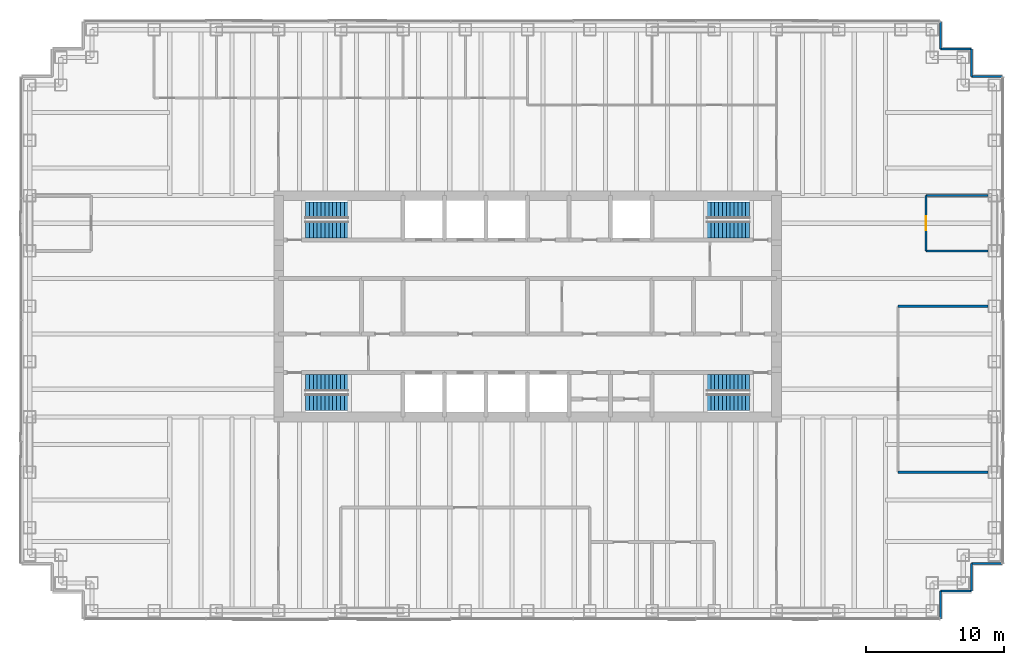
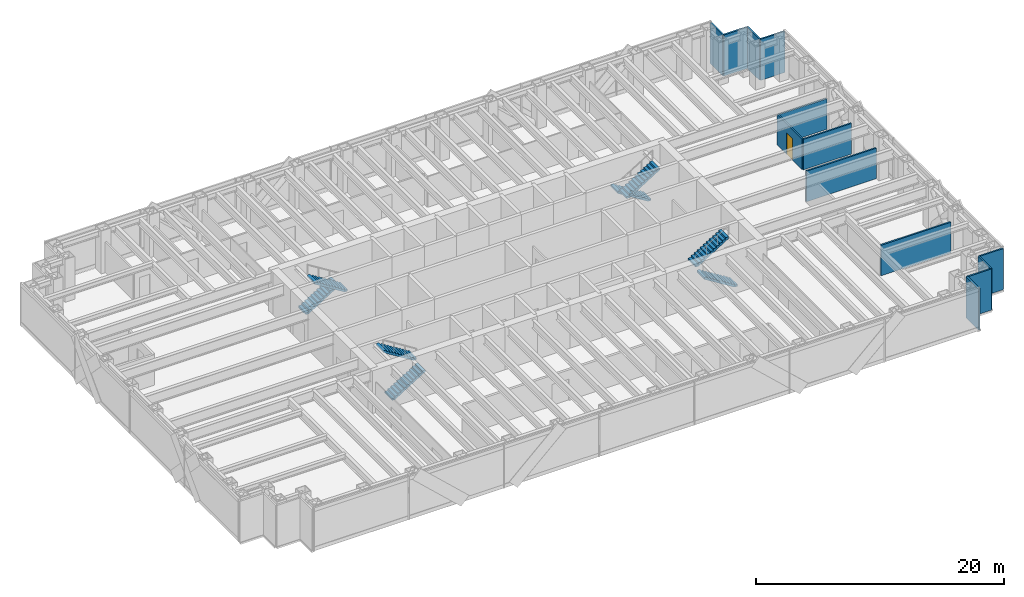
# One storey, part 16 of 17: 13 walls, 8 stair flights, 1 door, 1 opening, 4 elements without a shape of their own.
"""IFC4 building model written with IfcOpenShell, lengths in metres."""

import ifcopenshell
import ifcopenshell.guid

model = None  # the IFC model being written
_history = None  # IfcOwnerHistory: only IFC2X3 demands one
_inside = {}  # id of a spatial element -> (the spatial element, [elements in it])
_under = {}  # id of a project, library or spatial element -> (it, [spatial elements below it])
_declared = {}  # id of a project -> (the project, [libraries it declares])
_typed = {}  # id of a type object -> (the type object, [elements of that type])
_made_of = {}  # id of a material, layer set ... -> (it, [elements and type objects made of it])


def new_model(schema):
    """Start an empty IFC model of exactly this schema.

    Asked for "IFC4X3", IfcOpenShell would pick the latest addendum, in which some entities
    have other attributes; the version numbers below select the first issue.
    IFC2X3 requires an IfcOwnerHistory on every rooted entity: one is made here for all.
    """
    global model, _history
    if schema == "IFC4X3":
        model = ifcopenshell.file(schema_version=(4, 3, 0, 0))
    else:
        model = ifcopenshell.file(schema=schema)
    _inside.clear()
    _under.clear()
    _declared.clear()
    _typed.clear()
    _made_of.clear()
    _history = None
    if model.schema == "IFC2X3":
        org = make("IfcOrganization", Name="unknown")
        user = make(
            "IfcPersonAndOrganization",
            ThePerson=make("IfcPerson", FamilyName="unknown"),
            TheOrganization=org,
        )
        app = make(
            "IfcApplication",
            ApplicationDeveloper=org,
            Version="unknown",
            ApplicationFullName="unknown",
            ApplicationIdentifier="unknown",
        )
        _history = make(
            "IfcOwnerHistory",
            OwningUser=user,
            OwningApplication=app,
            ChangeAction="ADDED",
            CreationDate=0,
        )
    return model


def make(cls, **values):
    """One entity of the class cls with the attributes given. An attribute that is None is left unset."""
    return model.create_entity(
        cls, **{name: value for name, value in values.items() if value is not None}
    )


def rooted(cls, **values):
    """An entity with a GlobalId (a new one), such as an element, a storey or a relation."""
    return make(cls, GlobalId=ifcopenshell.guid.new(), OwnerHistory=_history, **values)


def si_unit(unit_type, name, prefix=None):
    """IfcSIUnit, for example si_unit("LENGTHUNIT", "METRE", prefix="MILLI")."""
    return make("IfcSIUnit", UnitType=unit_type, Prefix=prefix, Name=name)


def assignment(units):
    """IfcUnitAssignment: the units of a project."""
    return None if units is None else make("IfcUnitAssignment", Units=units)


def point(xyz):
    """IfcCartesianPoint."""
    return None if xyz is None else make("IfcCartesianPoint", Coordinates=xyz)


def direction(xyz):
    """IfcDirection."""
    return None if xyz is None else make("IfcDirection", DirectionRatios=xyz)


def frame(location, z_axis=None, x_axis=None):
    """IfcAxis2Placement3D, a coordinate frame: its origin and axes. An axis left out is left unset."""
    return make(
        "IfcAxis2Placement3D",
        Location=point(location),
        Axis=direction(z_axis),
        RefDirection=direction(x_axis),
    )


def frame_2d(location, x_axis=None):
    """IfcAxis2Placement2D, a coordinate frame in the plane: its origin and x axis."""
    return make(
        "IfcAxis2Placement2D", Location=point(location), RefDirection=direction(x_axis)
    )


def origin():
    """The frame at (0, 0, 0) with its axes left unset."""
    return frame((0.0, 0.0, 0.0))


def place(relative_to, where):
    """IfcLocalPlacement: puts the frame where relative to a parent placement (None: the world)."""
    return make(
        "IfcLocalPlacement", PlacementRelTo=relative_to, RelativePlacement=where
    )


def context(
    kind, dimensions, precision=None, world=None, true_north=None, identifier=None
):
    """IfcGeometricRepresentationContext, for example the 3D "Model" context."""
    return make(
        "IfcGeometricRepresentationContext",
        ContextIdentifier=identifier,
        ContextType=kind,
        CoordinateSpaceDimension=dimensions,
        Precision=precision,
        WorldCoordinateSystem=world,
        TrueNorth=true_north,
    )


def subcontext(parent, identifier, kind, view, scale=None):
    """IfcGeometricRepresentationSubContext, for example "Body" below "Model"."""
    return make(
        "IfcGeometricRepresentationSubContext",
        ContextIdentifier=identifier,
        ContextType=kind,
        ParentContext=parent,
        TargetScale=scale,
        TargetView=view,
    )


def project(units=None, contexts=None):
    """IfcProject with its units and contexts."""
    return rooted(
        "IfcProject",
        Name="project",
        RepresentationContexts=contexts,
        UnitsInContext=assignment(units),
    )


def spatial(cls, under=None, at=None, **own):
    """A site, building, storey or space (cls), placed at a placement, below another one or the project."""
    s = rooted(cls, ObjectPlacement=at, **own)
    if under is not None:
        _under.setdefault(under.id(), (under, []))[1].append(s)
    return s


def polyline(points):
    """IfcPolyline through the points."""
    return make("IfcPolyline", Points=[point(p) for p in points])


def profile(cls, at=None, kind="AREA", **sizes):
    """A parametric profile (cls). Its sizes go by their IFC names, for example OverallWidth=200.0."""
    return make(cls, ProfileType=kind, Position=at, **sizes)


def rectangle(**sizes):
    """IfcRectangleProfileDef."""
    return profile("IfcRectangleProfileDef", **sizes)


def outline(outer, holes=None, kind="AREA"):
    """IfcArbitraryClosedProfileDef: a profile drawn as a closed curve; with holes, ...WithVoids."""
    if holes is None:
        return make("IfcArbitraryClosedProfileDef", ProfileType=kind, OuterCurve=outer)
    return make(
        "IfcArbitraryProfileDefWithVoids",
        ProfileType=kind,
        OuterCurve=outer,
        InnerCurves=holes,
    )


def extrude(swept, where, along, depth):
    """IfcExtrudedAreaSolid: the profile swept, set in the frame where, extruded along a direction by depth."""
    return make(
        "IfcExtrudedAreaSolid",
        SweptArea=swept,
        Position=where,
        ExtrudedDirection=direction(along),
        Depth=depth,
    )


def shape(context_of_items, identifier, shape_type, items):
    """IfcShapeRepresentation: the items that make up one representation, for example the "Body"."""
    return make(
        "IfcShapeRepresentation",
        ContextOfItems=context_of_items,
        RepresentationIdentifier=identifier,
        RepresentationType=shape_type,
        Items=items,
    )


def material(Name=None, Category=None):
    """IfcMaterial."""
    return make("IfcMaterial", Name=Name, Category=Category)


def layer(
    of_material, thickness, ventilated=None, Name=None, Category=None, Priority=None
):
    """IfcMaterialLayer: one layer of a wall or slab, of a material (None: an air gap)."""
    return make(
        "IfcMaterialLayer",
        Material=of_material,
        LayerThickness=thickness,
        IsVentilated=ventilated,
        Name=Name,
        Category=Category,
        Priority=Priority,
    )


def layer_set(layers, Name=None):
    """IfcMaterialLayerSet."""
    return make("IfcMaterialLayerSet", MaterialLayers=layers, LayerSetName=Name)


def made_of(thing, what):
    """Note that an element or type object is made of a material, layer set ...; save() writes the relation."""
    if what is not None:
        _made_of.setdefault(what.id(), (what, []))[1].append(thing)
    return thing


def type_object(cls, material=None, **own):
    """A type object (cls), such as IfcWallType, which elements share."""
    return made_of(rooted(cls, **own), material)


def element(
    cls,
    number,
    at=None,
    inside=None,
    cuts=None,
    type_object=None,
    material=None,
    context=None,
    identifier="Body",
    shape_type=None,
    held_by="IfcProductDefinitionShape",
    body=None,
    shapes=None,
    **own,
):
    """One element of the class cls, such as IfcWall. Its Tag is "e" and its number.

    at: its placement. inside: the storey or other place that contains it. cuts: it is an
    opening in that element (IfcRelVoidsElement). A single representation is given by context,
    identifier, shape_type and body (its items); several are given by shapes. held_by: the class
    of the entity that holds the representations. save() writes the other relations.
    """
    e = rooted(cls, Tag="e%d" % number, ObjectPlacement=at, **own)
    if body is not None:
        shapes = [shape(context, identifier, shape_type, body)]
    if shapes is not None:
        e.Representation = make(held_by, Representations=shapes)
    if inside is not None:
        _inside.setdefault(inside.id(), (inside, []))[1].append(e)
    if cuts is not None:
        rooted(
            "IfcRelVoidsElement", RelatingBuildingElement=cuts, RelatedOpeningElement=e
        )
    if type_object is not None:
        _typed.setdefault(type_object.id(), (type_object, []))[1].append(e)
    return made_of(e, material)


def fill(opening, filler):
    """IfcRelFillsElement: the door or window that sits in an opening."""
    return rooted(
        "IfcRelFillsElement",
        RelatingOpeningElement=opening,
        RelatedBuildingElement=filler,
    )


def aggregate(whole, parts):
    """IfcRelAggregates: a whole, such as a stair, and the parts it consists of."""
    return rooted("IfcRelAggregates", RelatingObject=whole, RelatedObjects=parts)


def save(model, path):
    """Write the relations noted so far, then the file.

    IfcRelAggregates (storeys below a building ...), IfcRelContainedInSpatialStructure (elements
    in a storey), IfcRelDefinesByType, IfcRelAssociatesMaterial and IfcRelDeclares: one each for
    every whole, place, type object, material and project.
    """
    for whole, parts in _under.values():
        aggregate(whole, parts)
    for where, things in _inside.values():
        rooted(
            "IfcRelContainedInSpatialStructure",
            RelatedElements=things,
            RelatingStructure=where,
        )
    for kind, things in _typed.values():
        rooted("IfcRelDefinesByType", RelatedObjects=things, RelatingType=kind)
    for what, things in _made_of.values():
        rooted("IfcRelAssociatesMaterial", RelatedObjects=things, RelatingMaterial=what)
    for by, libraries in _declared.values():
        rooted("IfcRelDeclares", RelatingContext=by, RelatedDefinitions=libraries)
    model.write(path)


model = new_model("IFC4")

# Units and contexts
model_context = context("Model", 3, precision=1e-05, world=origin(), true_north=direction((0.0, 1.0)))
body_context = subcontext(model_context, "Body", "Model", "MODEL_VIEW")
ifc_project = project(units=[si_unit("LENGTHUNIT", "METRE"), si_unit("AREAUNIT", "SQUARE_METRE"), si_unit("VOLUMEUNIT", "CUBIC_METRE"), si_unit("PLANEANGLEUNIT", "RADIAN"), si_unit("MASSUNIT", "GRAM", prefix="KILO")], contexts=[model_context])

# Site, building, storey
site_placement = place(None, origin())
site = spatial("IfcSite", under=ifc_project, at=site_placement, CompositionType="ELEMENT")
building_placement = place(site_placement, origin())
building = spatial("IfcBuilding", under=site, at=building_placement, Name="Rheinbord Bourse Tower", CompositionType="ELEMENT")
storey_placement = place(building_placement, frame((0.0, 0.0, 321.5)))
storey = spatial("IfcBuildingStorey", under=building, at=storey_placement, Name="L73", CompositionType="ELEMENT", Elevation=321.5)

# Walls
ifc_material_1 = material(Name="Black metal rainscreen panel", Category="aluminium")
ifc_layer_1 = layer(ifc_material_1, 0.14990234375)
ifc_layer_set_1 = layer_set([ifc_layer_1], Name="CORNER PIER CLADDING 150")
wall_type_1 = type_object("IfcWallType", Name="CORNER PIER CLADDING 150", PredefinedType="ELEMENTEDWALL", material=ifc_layer_set_1)
wall_1_placement = place(storey_placement, frame((65.85009765625, 1.39990234375, 0.0), z_axis=(0.0, 0.0, 1.0), x_axis=(0.0, 1.0, 0.0)))
element("IfcWall", 1, at=wall_1_placement, inside=storey, type_object=wall_type_1, Name="Corner pier cladding L73 2", PredefinedType="ELEMENTEDWALL", context=body_context, shape_type="SweptSolid", body=[
    extrude(rectangle(XDim=2.0, YDim=0.14990234375, at=frame_2d((1.0, 0.0))), origin(), (0.0, 0.0, 1.0), 4.0400390625),
])
wall_2_placement = place(storey_placement, frame((65.85009765625, 3.39990234375, 0.0), z_axis=(0.0, 0.0, 1.0), x_axis=(1.0, 0.0, 0.0)))
element("IfcWall", 2, at=wall_2_placement, inside=storey, type_object=wall_type_1, Name="Corner pier cladding L73 3", PredefinedType="ELEMENTEDWALL", context=body_context, shape_type="SweptSolid", body=[
    extrude(rectangle(XDim=2.25, YDim=0.14990234375, at=frame_2d((1.125, 0.0))), origin(), (0.0, 0.0, 1.0), 4.0400390625),
])
wall_3_placement = place(storey_placement, frame((68.10009765625, 3.39990234375, 0.0), z_axis=(0.0, 0.0, 1.0), x_axis=(0.0, 1.0, 0.0)))
element("IfcWall", 3, at=wall_3_placement, inside=storey, type_object=wall_type_1, Name="Corner pier cladding L73 4", PredefinedType="ELEMENTEDWALL", context=body_context, shape_type="SweptSolid", body=[
    extrude(rectangle(XDim=2.0, YDim=0.14990234375, at=frame_2d((1.0, 0.0))), origin(), (0.0, 0.0, 1.0), 4.0400390625),
])
for number, where, z_axis, x_axis, name in (
    (4, (68.10009765625, 5.39990234375, 0.0), (0.0, 0.0, 1.0), (1.0, 0.0, 0.0), "Corner pier cladding L73 5"),
    (5, (70.35009765625, 40.60009765625, 0.0), (0.0, 0.0, 1.0), (-1.0, 0.0, 0.0), "Corner pier cladding L73 7"),
):
    element("IfcWall", number, at=place(storey_placement, frame(where, z_axis=z_axis, x_axis=x_axis)), inside=storey, type_object=wall_type_1, Name=name, PredefinedType="ELEMENTEDWALL", context=body_context, shape_type="SweptSolid", body=[
        extrude(rectangle(XDim=2.25, YDim=0.14990234375, at=frame_2d((1.125, 0.0))), origin(), (0.0, 0.0, 1.0), 4.0400390625),
    ])
wall_4_placement = place(storey_placement, frame((68.10009765625, 40.60009765625, 0.0), z_axis=(0.0, 0.0, 1.0), x_axis=(0.0, 1.0, 0.0)))
element("IfcWall", 6, at=wall_4_placement, inside=storey, type_object=wall_type_1, Name="Corner pier cladding L73 8", PredefinedType="ELEMENTEDWALL", context=body_context, shape_type="SweptSolid", body=[
    extrude(rectangle(XDim=2.0, YDim=0.14990234375, at=frame_2d((1.0, 0.0))), origin(), (0.0, 0.0, 1.0), 4.0400390625),
])
wall_5_placement = place(storey_placement, frame((68.10009765625, 42.60009765625, 0.0), z_axis=(0.0, 0.0, 1.0), x_axis=(-1.0, 0.0, 0.0)))
element("IfcWall", 7, at=wall_5_placement, inside=storey, type_object=wall_type_1, Name="Corner pier cladding L73 9", PredefinedType="ELEMENTEDWALL", context=body_context, shape_type="SweptSolid", body=[
    extrude(rectangle(XDim=2.25, YDim=0.14990234375, at=frame_2d((1.125, 0.0))), origin(), (0.0, 0.0, 1.0), 4.0400390625),
])
wall_6_placement = place(storey_placement, frame((65.85009765625, 42.60009765625, 0.0), z_axis=(0.0, 0.0, 1.0), x_axis=(0.0, 1.0, 0.0)))
element("IfcWall", 8, at=wall_6_placement, inside=storey, type_object=wall_type_1, Name="Corner pier cladding L73 10", PredefinedType="ELEMENTEDWALL", context=body_context, shape_type="SweptSolid", body=[
    extrude(rectangle(XDim=2.0, YDim=0.14990234375, at=frame_2d((1.0, 0.0))), origin(), (0.0, 0.0, 1.0), 4.0400390625),
])
ifc_material_2 = material(Name="Gypsum board partition", Category="gypsum board")
ifc_layer_2 = layer(ifc_material_2, 0.14990234375)
ifc_layer_set_2 = layer_set([ifc_layer_2], Name="PARTITION 150")
wall_type_2 = type_object("IfcWallType", Name="PARTITION 150", PredefinedType="PARTITIONING", material=ifc_layer_set_2)
for number, where, z_axis, x_axis, name in (
    (9, (62.800048828125, 12.0, 0.0), (0.0, 0.0, 1.0), (1.0, 0.0, 0.0), "Partition L73-03"),
    (10, (62.800048828125, 24.0, 0.0), (0.0, 0.0, 1.0), (1.0, 0.0, 0.0), "Partition L73-04"),
):
    element("IfcWall", number, at=place(storey_placement, frame(where, z_axis=z_axis, x_axis=x_axis)), inside=storey, type_object=wall_type_2, Name=name, PredefinedType="PARTITIONING", context=body_context, shape_type="SweptSolid", body=[
        extrude(rectangle(XDim=6.5, YDim=0.14990234375, at=frame_2d((3.25, 0.0))), origin(), (0.0, 0.0, 1.0), 3.0),
    ])
for number, where, z_axis, x_axis, name in (
    (11, (64.800048828125, 28.0, 0.0), (0.0, 0.0, 1.0), (1.0, 0.0, 0.0), "Partition L73-06"),
    (12, (64.800048828125, 32.0, 0.0), (0.0, 0.0, 1.0), (1.0, 0.0, 0.0), "Partition L73-08"),
):
    element("IfcWall", number, at=place(storey_placement, frame(where, z_axis=z_axis, x_axis=x_axis)), inside=storey, type_object=wall_type_2, Name=name, PredefinedType="PARTITIONING", context=body_context, shape_type="SweptSolid", body=[
        extrude(rectangle(XDim=4.5, YDim=0.14990234375, at=frame_2d((2.25, 0.0))), origin(), (0.0, 0.0, 1.0), 3.0),
    ])

# Wall, opening, door
wall_7_placement = place(storey_placement, frame((64.800048828125, 28.0, 0.0), z_axis=(0.0, 0.0, 1.0), x_axis=(0.0, 1.0, 0.0)))
wall_7 = element("IfcWall", 13, at=wall_7_placement, inside=storey, type_object=wall_type_2, Name="Partition L73-30", PredefinedType="PARTITIONING", context=body_context, shape_type="SweptSolid", body=[
    extrude(rectangle(XDim=4.0, YDim=0.14990234375, at=frame_2d((2.0, 0.0))), origin(), (0.0, 0.0, 1.0), 3.0),
])
opening_placement = place(wall_7_placement, frame((1.5, 0.0, 0.0)))
opening = element("IfcOpeningElement", 14, at=opening_placement, cuts=wall_7, Name="Opening 73D06", PredefinedType="OPENING", context=body_context, shape_type="SweptSolid", body=[
    extrude(rectangle(XDim=1.0, YDim=2.10009765625, at=frame_2d((0.5, 1.050048828125))), frame((0.0, 0.0849609375, 0.0), z_axis=(0.0, -1.0, 0.0), x_axis=(1.0, 0.0, 0.0)), (0.0, 0.0, 1.0), 0.169921875),
])
ifc_material_3 = material(Name="Timber door", Category="wood")
door_type = type_object("IfcDoorType", Name="ROOM DOOR 1000", OperationType="SINGLE_SWING_LEFT", PredefinedType="DOOR", material=ifc_material_3)
door_placement = place(opening_placement, origin())
door = element("IfcDoor", 15, at=door_placement, inside=storey, type_object=door_type, Name="Pantry door L73", OperationType="SINGLE_SWING_LEFT", OverallHeight=2.10009765625, OverallWidth=1.0, PredefinedType="DOOR", context=body_context, shape_type="SweptSolid", body=[
    extrude(rectangle(XDim=1.0, YDim=2.10009765625, at=frame_2d((0.5, 1.050048828125))), frame((0.0, 0.02490234375, 0.0), z_axis=(0.0, -1.0, 0.0), x_axis=(1.0, 0.0, 0.0)), (0.0, 0.0, 1.0), 0.050048828125),
])
fill(opening, door)

# Stair, stair flights
ifc_material_4 = material(Name="Concrete C30/37", Category="concrete")
stair_type = type_object("IfcStairType", Name="CORE STAIR HALF TURN 4200", PredefinedType="HALF_TURN_STAIR", material=ifc_material_4)
stair_1_placement = place(storey_placement, origin())
stair_1 = element("IfcStair", 16, at=stair_1_placement, inside=storey, type_object=stair_type, Name="Stair ST1 L73, type CS6", PredefinedType="HALF_TURN_STAIR")
ifc_material_5 = material(Name="Concrete C30/37", Category="concrete")
stair_flight_type = type_object("IfcStairFlightType", Name="CORE STAIR FLIGHT 1200, 12 RISERS", PredefinedType="STRAIGHT", material=ifc_material_5)
stair_flight_1_placement = place(storey_placement, frame((19.949951171875, 17.050048828125, 0.0), z_axis=(0.0, 0.0, 1.0), x_axis=(1.0, 0.0, 0.0)))
stair_flight_1 = element("IfcStairFlight", 17, at=stair_flight_1_placement, type_object=stair_flight_type, Name="STAIR L73 ST1 F1", NumberOfRisers=12, NumberOfTreads=11, PredefinedType="STRAIGHT", RiserHeight=0.175, TreadLength=0.28, context=body_context, shape_type="SweptSolid", body=[
    extrude(outline(polyline([(0.0, 0.0), (0.0, 0.175048828125), (0.280029296875, 0.175048828125), (0.280029296875, 0.35009765625), (0.56005859375, 0.35009765625), (0.56005859375, 0.52490234375), (0.840087890625, 0.52490234375), (0.840087890625, 0.699951171875), (1.1201171875, 0.699951171875), (1.1201171875, 0.875), (1.39990234375, 0.875), (1.39990234375, 1.050048828125), (1.679931640625, 1.050048828125), (1.679931640625, 1.22509765625), (1.9599609375, 1.22509765625), (1.9599609375, 1.39990234375), (2.239990234375, 1.39990234375), (2.239990234375, 1.574951171875), (2.52001953125, 1.574951171875), (2.52001953125, 1.75), (2.800048828125, 1.75), (2.800048828125, 1.925048828125), (3.080078125, 1.925048828125), (3.080078125, 2.10009765625), (3.080078125, 1.748291015625), (0.28271484375, 0.0), (0.0, 0.0)])), frame((0.0, 0.60009765625, 0.0), z_axis=(0.0, -1.0, 0.0), x_axis=(1.0, 0.0, 0.0)), (0.0, 0.0, 1.0), 1.199951171875),
])
stair_flight_2_placement = place(storey_placement, frame((23.030029296875, 18.449951171875, 2.10009765625), z_axis=(0.0, 0.0, 1.0), x_axis=(-1.0, 0.0, 0.0)))
stair_flight_2 = element("IfcStairFlight", 18, at=stair_flight_2_placement, type_object=stair_flight_type, Name="STAIR L73 ST1 F2", NumberOfRisers=12, NumberOfTreads=11, PredefinedType="STRAIGHT", RiserHeight=0.175, TreadLength=0.28, context=body_context, shape_type="SweptSolid", body=[
    extrude(outline(polyline([(0.0, 0.0), (0.0, 0.175048828125), (0.280029296875, 0.175048828125), (0.280029296875, 0.35009765625), (0.56005859375, 0.35009765625), (0.56005859375, 0.52490234375), (0.840087890625, 0.52490234375), (0.840087890625, 0.699951171875), (1.1201171875, 0.699951171875), (1.1201171875, 0.875), (1.39990234375, 0.875), (1.39990234375, 1.050048828125), (1.679931640625, 1.050048828125), (1.679931640625, 1.22509765625), (1.9599609375, 1.22509765625), (1.9599609375, 1.39990234375), (2.239990234375, 1.39990234375), (2.239990234375, 1.574951171875), (2.52001953125, 1.574951171875), (2.52001953125, 1.75), (2.800048828125, 1.75), (2.800048828125, 1.925048828125), (3.080078125, 1.925048828125), (3.080078125, 2.10009765625), (3.080078125, 1.748291015625), (0.28271484375, 0.0), (0.0, 0.0)])), frame((0.0, 0.60009765625, 0.0), z_axis=(0.0, -1.0, 0.0), x_axis=(1.0, 0.0, 0.0)), (0.0, 0.0, 1.0), 1.199951171875),
])
aggregate(stair_1, [stair_flight_1, stair_flight_2])

stair_2_placement = place(storey_placement, origin())
stair_2 = element("IfcStair", 19, at=stair_2_placement, inside=storey, type_object=stair_type, Name="Stair ST2 L73, type CS6", PredefinedType="HALF_TURN_STAIR")
stair_flight_3_placement = place(storey_placement, frame((19.949951171875, 30.949951171875, 0.0), z_axis=(0.0, 0.0, 1.0), x_axis=(1.0, 0.0, 0.0)))
stair_flight_3 = element("IfcStairFlight", 20, at=stair_flight_3_placement, type_object=stair_flight_type, Name="STAIR L73 ST2 F1", NumberOfRisers=12, NumberOfTreads=11, PredefinedType="STRAIGHT", RiserHeight=0.175, TreadLength=0.28, context=body_context, shape_type="SweptSolid", body=[
    extrude(outline(polyline([(0.0, 0.0), (0.0, 0.175048828125), (0.280029296875, 0.175048828125), (0.280029296875, 0.35009765625), (0.56005859375, 0.35009765625), (0.56005859375, 0.52490234375), (0.840087890625, 0.52490234375), (0.840087890625, 0.699951171875), (1.1201171875, 0.699951171875), (1.1201171875, 0.875), (1.39990234375, 0.875), (1.39990234375, 1.050048828125), (1.679931640625, 1.050048828125), (1.679931640625, 1.22509765625), (1.9599609375, 1.22509765625), (1.9599609375, 1.39990234375), (2.239990234375, 1.39990234375), (2.239990234375, 1.574951171875), (2.52001953125, 1.574951171875), (2.52001953125, 1.75), (2.800048828125, 1.75), (2.800048828125, 1.925048828125), (3.080078125, 1.925048828125), (3.080078125, 2.10009765625), (3.080078125, 1.748291015625), (0.28271484375, 0.0), (0.0, 0.0)])), frame((0.0, 0.60009765625, 0.0), z_axis=(0.0, -1.0, 0.0), x_axis=(1.0, 0.0, 0.0)), (0.0, 0.0, 1.0), 1.199951171875),
])
stair_flight_4_placement = place(storey_placement, frame((23.030029296875, 29.550048828125, 2.10009765625), z_axis=(0.0, 0.0, 1.0), x_axis=(-1.0, 0.0, 0.0)))
stair_flight_4 = element("IfcStairFlight", 21, at=stair_flight_4_placement, type_object=stair_flight_type, Name="STAIR L73 ST2 F2", NumberOfRisers=12, NumberOfTreads=11, PredefinedType="STRAIGHT", RiserHeight=0.175, TreadLength=0.28, context=body_context, shape_type="SweptSolid", body=[
    extrude(outline(polyline([(0.0, 0.0), (0.0, 0.175048828125), (0.280029296875, 0.175048828125), (0.280029296875, 0.35009765625), (0.56005859375, 0.35009765625), (0.56005859375, 0.52490234375), (0.840087890625, 0.52490234375), (0.840087890625, 0.699951171875), (1.1201171875, 0.699951171875), (1.1201171875, 0.875), (1.39990234375, 0.875), (1.39990234375, 1.050048828125), (1.679931640625, 1.050048828125), (1.679931640625, 1.22509765625), (1.9599609375, 1.22509765625), (1.9599609375, 1.39990234375), (2.239990234375, 1.39990234375), (2.239990234375, 1.574951171875), (2.52001953125, 1.574951171875), (2.52001953125, 1.75), (2.800048828125, 1.75), (2.800048828125, 1.925048828125), (3.080078125, 1.925048828125), (3.080078125, 2.10009765625), (3.080078125, 1.748291015625), (0.28271484375, 0.0), (0.0, 0.0)])), frame((0.0, 0.60009765625, 0.0), z_axis=(0.0, -1.0, 0.0), x_axis=(1.0, 0.0, 0.0)), (0.0, 0.0, 1.0), 1.199951171875),
])
aggregate(stair_2, [stair_flight_3, stair_flight_4])

stair_3_placement = place(storey_placement, origin())
stair_3 = element("IfcStair", 22, at=stair_3_placement, inside=storey, type_object=stair_type, Name="Stair ST3 L73, type CS6", PredefinedType="HALF_TURN_STAIR")
stair_flight_5_placement = place(storey_placement, frame((52.050048828125, 17.050048828125, 0.0), z_axis=(0.0, 0.0, 1.0), x_axis=(-1.0, 0.0, 0.0)))
stair_flight_5 = element("IfcStairFlight", 23, at=stair_flight_5_placement, type_object=stair_flight_type, Name="STAIR L73 ST3 F1", NumberOfRisers=12, NumberOfTreads=11, PredefinedType="STRAIGHT", RiserHeight=0.175, TreadLength=0.28, context=body_context, shape_type="SweptSolid", body=[
    extrude(outline(polyline([(0.0, 0.0), (0.0, 0.175048828125), (0.280029296875, 0.175048828125), (0.280029296875, 0.35009765625), (0.56005859375, 0.35009765625), (0.56005859375, 0.52490234375), (0.840087890625, 0.52490234375), (0.840087890625, 0.699951171875), (1.1201171875, 0.699951171875), (1.1201171875, 0.875), (1.39990234375, 0.875), (1.39990234375, 1.050048828125), (1.679931640625, 1.050048828125), (1.679931640625, 1.22509765625), (1.9599609375, 1.22509765625), (1.9599609375, 1.39990234375), (2.239990234375, 1.39990234375), (2.239990234375, 1.574951171875), (2.52001953125, 1.574951171875), (2.52001953125, 1.75), (2.800048828125, 1.75), (2.800048828125, 1.925048828125), (3.080078125, 1.925048828125), (3.080078125, 2.10009765625), (3.080078125, 1.748291015625), (0.28271484375, 0.0), (0.0, 0.0)])), frame((0.0, 0.60009765625, 0.0), z_axis=(0.0, -1.0, 0.0), x_axis=(1.0, 0.0, 0.0)), (0.0, 0.0, 1.0), 1.199951171875),
])
stair_flight_6_placement = place(storey_placement, frame((48.969970703125, 18.449951171875, 2.10009765625), z_axis=(0.0, 0.0, 1.0), x_axis=(1.0, 0.0, 0.0)))
stair_flight_6 = element("IfcStairFlight", 24, at=stair_flight_6_placement, type_object=stair_flight_type, Name="STAIR L73 ST3 F2", NumberOfRisers=12, NumberOfTreads=11, PredefinedType="STRAIGHT", RiserHeight=0.175, TreadLength=0.28, context=body_context, shape_type="SweptSolid", body=[
    extrude(outline(polyline([(0.0, 0.0), (0.0, 0.175048828125), (0.280029296875, 0.175048828125), (0.280029296875, 0.35009765625), (0.56005859375, 0.35009765625), (0.56005859375, 0.52490234375), (0.840087890625, 0.52490234375), (0.840087890625, 0.699951171875), (1.1201171875, 0.699951171875), (1.1201171875, 0.875), (1.39990234375, 0.875), (1.39990234375, 1.050048828125), (1.679931640625, 1.050048828125), (1.679931640625, 1.22509765625), (1.9599609375, 1.22509765625), (1.9599609375, 1.39990234375), (2.239990234375, 1.39990234375), (2.239990234375, 1.574951171875), (2.52001953125, 1.574951171875), (2.52001953125, 1.75), (2.800048828125, 1.75), (2.800048828125, 1.925048828125), (3.080078125, 1.925048828125), (3.080078125, 2.10009765625), (3.080078125, 1.748291015625), (0.28271484375, 0.0), (0.0, 0.0)])), frame((0.0, 0.60009765625, 0.0), z_axis=(0.0, -1.0, 0.0), x_axis=(1.0, 0.0, 0.0)), (0.0, 0.0, 1.0), 1.199951171875),
])
aggregate(stair_3, [stair_flight_5, stair_flight_6])

stair_4_placement = place(storey_placement, origin())
stair_4 = element("IfcStair", 25, at=stair_4_placement, inside=storey, type_object=stair_type, Name="Stair ST4 L73, type CS6", PredefinedType="HALF_TURN_STAIR")
stair_flight_7_placement = place(storey_placement, frame((52.050048828125, 30.949951171875, 0.0), z_axis=(0.0, 0.0, 1.0), x_axis=(-1.0, 0.0, 0.0)))
stair_flight_7 = element("IfcStairFlight", 26, at=stair_flight_7_placement, type_object=stair_flight_type, Name="STAIR L73 ST4 F1", NumberOfRisers=12, NumberOfTreads=11, PredefinedType="STRAIGHT", RiserHeight=0.175, TreadLength=0.28, context=body_context, shape_type="SweptSolid", body=[
    extrude(outline(polyline([(0.0, 0.0), (0.0, 0.175048828125), (0.280029296875, 0.175048828125), (0.280029296875, 0.35009765625), (0.56005859375, 0.35009765625), (0.56005859375, 0.52490234375), (0.840087890625, 0.52490234375), (0.840087890625, 0.699951171875), (1.1201171875, 0.699951171875), (1.1201171875, 0.875), (1.39990234375, 0.875), (1.39990234375, 1.050048828125), (1.679931640625, 1.050048828125), (1.679931640625, 1.22509765625), (1.9599609375, 1.22509765625), (1.9599609375, 1.39990234375), (2.239990234375, 1.39990234375), (2.239990234375, 1.574951171875), (2.52001953125, 1.574951171875), (2.52001953125, 1.75), (2.800048828125, 1.75), (2.800048828125, 1.925048828125), (3.080078125, 1.925048828125), (3.080078125, 2.10009765625), (3.080078125, 1.748291015625), (0.28271484375, 0.0), (0.0, 0.0)])), frame((0.0, 0.60009765625, 0.0), z_axis=(0.0, -1.0, 0.0), x_axis=(1.0, 0.0, 0.0)), (0.0, 0.0, 1.0), 1.199951171875),
])
stair_flight_8_placement = place(storey_placement, frame((48.969970703125, 29.550048828125, 2.10009765625), z_axis=(0.0, 0.0, 1.0), x_axis=(1.0, 0.0, 0.0)))
stair_flight_8 = element("IfcStairFlight", 27, at=stair_flight_8_placement, type_object=stair_flight_type, Name="STAIR L73 ST4 F2", NumberOfRisers=12, NumberOfTreads=11, PredefinedType="STRAIGHT", RiserHeight=0.175, TreadLength=0.28, context=body_context, shape_type="SweptSolid", body=[
    extrude(outline(polyline([(0.0, 0.0), (0.0, 0.175048828125), (0.280029296875, 0.175048828125), (0.280029296875, 0.35009765625), (0.56005859375, 0.35009765625), (0.56005859375, 0.52490234375), (0.840087890625, 0.52490234375), (0.840087890625, 0.699951171875), (1.1201171875, 0.699951171875), (1.1201171875, 0.875), (1.39990234375, 0.875), (1.39990234375, 1.050048828125), (1.679931640625, 1.050048828125), (1.679931640625, 1.22509765625), (1.9599609375, 1.22509765625), (1.9599609375, 1.39990234375), (2.239990234375, 1.39990234375), (2.239990234375, 1.574951171875), (2.52001953125, 1.574951171875), (2.52001953125, 1.75), (2.800048828125, 1.75), (2.800048828125, 1.925048828125), (3.080078125, 1.925048828125), (3.080078125, 2.10009765625), (3.080078125, 1.748291015625), (0.28271484375, 0.0), (0.0, 0.0)])), frame((0.0, 0.60009765625, 0.0), z_axis=(0.0, -1.0, 0.0), x_axis=(1.0, 0.0, 0.0)), (0.0, 0.0, 1.0), 1.199951171875),
])
aggregate(stair_4, [stair_flight_7, stair_flight_8])

save(model, "model.ifc")
